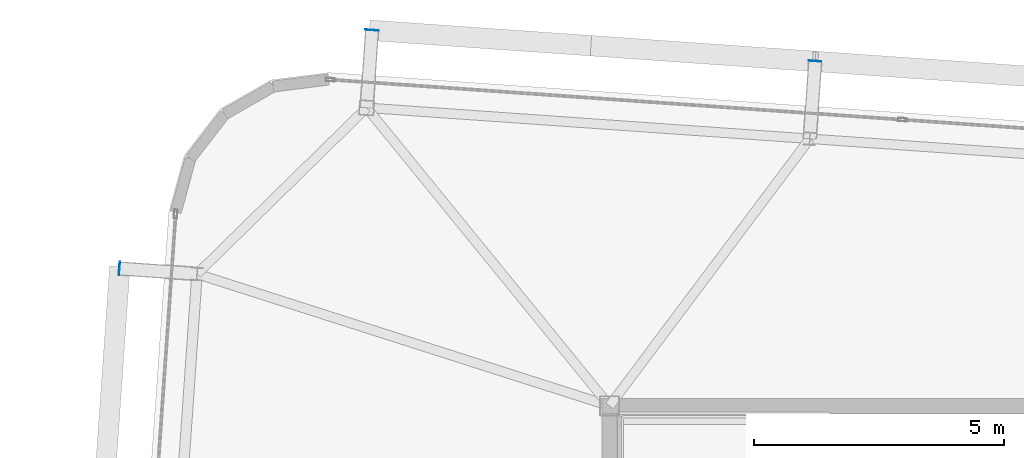
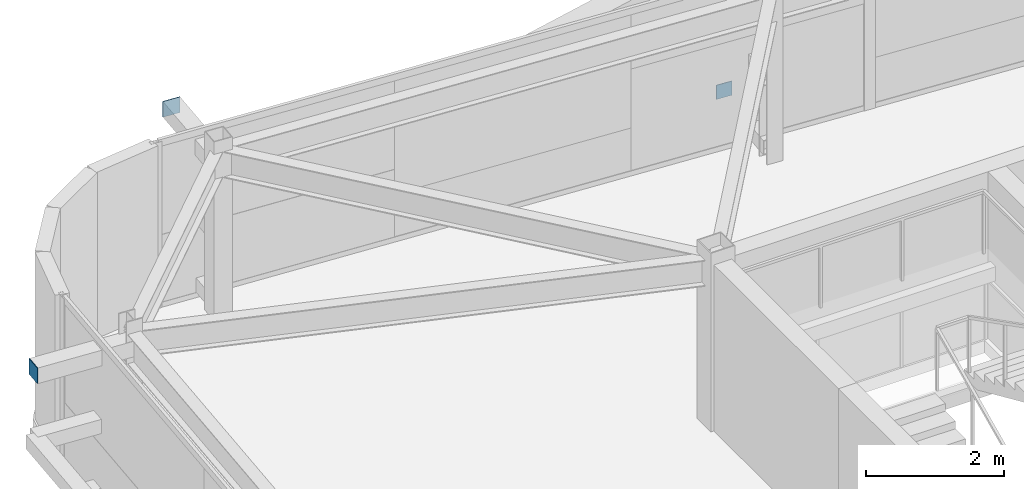
# One storey, part 32 of 39: 3 plates.
"""IFC4 building model written with IfcOpenShell, lengths in metres."""

import ifcopenshell
import ifcopenshell.guid

model = None  # the IFC model being written
_history = None  # IfcOwnerHistory: only IFC2X3 demands one
_inside = {}  # id of a spatial element -> (the spatial element, [elements in it])
_under = {}  # id of a project, library or spatial element -> (it, [spatial elements below it])
_declared = {}  # id of a project -> (the project, [libraries it declares])
_typed = {}  # id of a type object -> (the type object, [elements of that type])
_made_of = {}  # id of a material, layer set ... -> (it, [elements and type objects made of it])


def new_model(schema):
    """Start an empty IFC model of exactly this schema.

    Asked for "IFC4X3", IfcOpenShell would pick the latest addendum, in which some entities
    have other attributes; the version numbers below select the first issue.
    IFC2X3 requires an IfcOwnerHistory on every rooted entity: one is made here for all.
    """
    global model, _history
    if schema == "IFC4X3":
        model = ifcopenshell.file(schema_version=(4, 3, 0, 0))
    else:
        model = ifcopenshell.file(schema=schema)
    _inside.clear()
    _under.clear()
    _declared.clear()
    _typed.clear()
    _made_of.clear()
    _history = None
    if model.schema == "IFC2X3":
        org = make("IfcOrganization", Name="unknown")
        user = make(
            "IfcPersonAndOrganization",
            ThePerson=make("IfcPerson", FamilyName="unknown"),
            TheOrganization=org,
        )
        app = make(
            "IfcApplication",
            ApplicationDeveloper=org,
            Version="unknown",
            ApplicationFullName="unknown",
            ApplicationIdentifier="unknown",
        )
        _history = make(
            "IfcOwnerHistory",
            OwningUser=user,
            OwningApplication=app,
            ChangeAction="ADDED",
            CreationDate=0,
        )
    return model


def make(cls, **values):
    """One entity of the class cls with the attributes given. An attribute that is None is left unset."""
    return model.create_entity(
        cls, **{name: value for name, value in values.items() if value is not None}
    )


def rooted(cls, **values):
    """An entity with a GlobalId (a new one), such as an element, a storey or a relation."""
    return make(cls, GlobalId=ifcopenshell.guid.new(), OwnerHistory=_history, **values)


def si_unit(unit_type, name, prefix=None):
    """IfcSIUnit, for example si_unit("LENGTHUNIT", "METRE", prefix="MILLI")."""
    return make("IfcSIUnit", UnitType=unit_type, Prefix=prefix, Name=name)


def assignment(units):
    """IfcUnitAssignment: the units of a project."""
    return None if units is None else make("IfcUnitAssignment", Units=units)


def point(xyz):
    """IfcCartesianPoint."""
    return None if xyz is None else make("IfcCartesianPoint", Coordinates=xyz)


def direction(xyz):
    """IfcDirection."""
    return None if xyz is None else make("IfcDirection", DirectionRatios=xyz)


def frame(location, z_axis=None, x_axis=None):
    """IfcAxis2Placement3D, a coordinate frame: its origin and axes. An axis left out is left unset."""
    return make(
        "IfcAxis2Placement3D",
        Location=point(location),
        Axis=direction(z_axis),
        RefDirection=direction(x_axis),
    )


def frame_2d(location, x_axis=None):
    """IfcAxis2Placement2D, a coordinate frame in the plane: its origin and x axis."""
    return make(
        "IfcAxis2Placement2D", Location=point(location), RefDirection=direction(x_axis)
    )


def origin():
    """The frame at (0, 0, 0) with its axes left unset."""
    return frame((0.0, 0.0, 0.0))


def origin_2d():
    """The frame at (0, 0) in the plane with its x axis left unset."""
    return frame_2d((0.0, 0.0))


def place(relative_to, where):
    """IfcLocalPlacement: puts the frame where relative to a parent placement (None: the world)."""
    return make(
        "IfcLocalPlacement", PlacementRelTo=relative_to, RelativePlacement=where
    )


def context(
    kind, dimensions, precision=None, world=None, true_north=None, identifier=None
):
    """IfcGeometricRepresentationContext, for example the 3D "Model" context."""
    return make(
        "IfcGeometricRepresentationContext",
        ContextIdentifier=identifier,
        ContextType=kind,
        CoordinateSpaceDimension=dimensions,
        Precision=precision,
        WorldCoordinateSystem=world,
        TrueNorth=true_north,
    )


def subcontext(parent, identifier, kind, view, scale=None):
    """IfcGeometricRepresentationSubContext, for example "Body" below "Model"."""
    return make(
        "IfcGeometricRepresentationSubContext",
        ContextIdentifier=identifier,
        ContextType=kind,
        ParentContext=parent,
        TargetScale=scale,
        TargetView=view,
    )


def project(units=None, contexts=None):
    """IfcProject with its units and contexts."""
    return rooted(
        "IfcProject",
        Name="project",
        RepresentationContexts=contexts,
        UnitsInContext=assignment(units),
    )


def spatial(cls, under=None, at=None, **own):
    """A site, building, storey or space (cls), placed at a placement, below another one or the project."""
    s = rooted(cls, ObjectPlacement=at, **own)
    if under is not None:
        _under.setdefault(under.id(), (under, []))[1].append(s)
    return s


def profile(cls, at=None, kind="AREA", **sizes):
    """A parametric profile (cls). Its sizes go by their IFC names, for example OverallWidth=200.0."""
    return make(cls, ProfileType=kind, Position=at, **sizes)


def rectangle(**sizes):
    """IfcRectangleProfileDef."""
    return profile("IfcRectangleProfileDef", **sizes)


def extrude(swept, where, along, depth):
    """IfcExtrudedAreaSolid: the profile swept, set in the frame where, extruded along a direction by depth."""
    return make(
        "IfcExtrudedAreaSolid",
        SweptArea=swept,
        Position=where,
        ExtrudedDirection=direction(along),
        Depth=depth,
    )


def shape(context_of_items, identifier, shape_type, items):
    """IfcShapeRepresentation: the items that make up one representation, for example the "Body"."""
    return make(
        "IfcShapeRepresentation",
        ContextOfItems=context_of_items,
        RepresentationIdentifier=identifier,
        RepresentationType=shape_type,
        Items=items,
    )


def source(mapping_origin, context_of_items, identifier, shape_type, items):
    """IfcRepresentationMap: a shape defined once, which mapped items show again and again."""
    return make(
        "IfcRepresentationMap",
        MappingOrigin=mapping_origin,
        MappedRepresentation=shape(context_of_items, identifier, shape_type, items),
    )


def transform(
    local_origin,
    x_axis=None,
    y_axis=None,
    z_axis=None,
    scale=None,
    scale2=None,
    scale3=None,
    uniform=True,
):
    """IfcCartesianTransformationOperator3D, or its non-uniform kind. x_axis, y_axis, z_axis: its Axis1, 2, 3."""
    if uniform:
        return make(
            "IfcCartesianTransformationOperator3D",
            Axis1=direction(x_axis),
            Axis2=direction(y_axis),
            LocalOrigin=point(local_origin),
            Scale=scale,
            Axis3=direction(z_axis),
        )
    return make(
        "IfcCartesianTransformationOperator3DnonUniform",
        Axis1=direction(x_axis),
        Axis2=direction(y_axis),
        LocalOrigin=point(local_origin),
        Scale=scale,
        Axis3=direction(z_axis),
        Scale2=scale2,
        Scale3=scale3,
    )


def mapped(mapping_source, mapping_target):
    """IfcMappedItem: shows the shape of a source again, moved by a transform."""
    return make(
        "IfcMappedItem", MappingSource=mapping_source, MappingTarget=mapping_target
    )


def material(Name=None, Category=None):
    """IfcMaterial."""
    return make("IfcMaterial", Name=Name, Category=Category)


def layer(
    of_material, thickness, ventilated=None, Name=None, Category=None, Priority=None
):
    """IfcMaterialLayer: one layer of a wall or slab, of a material (None: an air gap)."""
    return make(
        "IfcMaterialLayer",
        Material=of_material,
        LayerThickness=thickness,
        IsVentilated=ventilated,
        Name=Name,
        Category=Category,
        Priority=Priority,
    )


def layer_set(layers, Name=None):
    """IfcMaterialLayerSet."""
    return make("IfcMaterialLayerSet", MaterialLayers=layers, LayerSetName=Name)


def made_of(thing, what):
    """Note that an element or type object is made of a material, layer set ...; save() writes the relation."""
    if what is not None:
        _made_of.setdefault(what.id(), (what, []))[1].append(thing)
    return thing


def type_object(cls, material=None, **own):
    """A type object (cls), such as IfcWallType, which elements share."""
    return made_of(rooted(cls, **own), material)


def element(
    cls,
    number,
    at=None,
    inside=None,
    cuts=None,
    type_object=None,
    material=None,
    context=None,
    identifier="Body",
    shape_type=None,
    held_by="IfcProductDefinitionShape",
    body=None,
    shapes=None,
    **own,
):
    """One element of the class cls, such as IfcWall. Its Tag is "e" and its number.

    at: its placement. inside: the storey or other place that contains it. cuts: it is an
    opening in that element (IfcRelVoidsElement). A single representation is given by context,
    identifier, shape_type and body (its items); several are given by shapes. held_by: the class
    of the entity that holds the representations. save() writes the other relations.
    """
    e = rooted(cls, Tag="e%d" % number, ObjectPlacement=at, **own)
    if body is not None:
        shapes = [shape(context, identifier, shape_type, body)]
    if shapes is not None:
        e.Representation = make(held_by, Representations=shapes)
    if inside is not None:
        _inside.setdefault(inside.id(), (inside, []))[1].append(e)
    if cuts is not None:
        rooted(
            "IfcRelVoidsElement", RelatingBuildingElement=cuts, RelatedOpeningElement=e
        )
    if type_object is not None:
        _typed.setdefault(type_object.id(), (type_object, []))[1].append(e)
    return made_of(e, material)


def aggregate(whole, parts):
    """IfcRelAggregates: a whole, such as a stair, and the parts it consists of."""
    return rooted("IfcRelAggregates", RelatingObject=whole, RelatedObjects=parts)


def save(model, path):
    """Write the relations noted so far, then the file.

    IfcRelAggregates (storeys below a building ...), IfcRelContainedInSpatialStructure (elements
    in a storey), IfcRelDefinesByType, IfcRelAssociatesMaterial and IfcRelDeclares: one each for
    every whole, place, type object, material and project.
    """
    for whole, parts in _under.values():
        aggregate(whole, parts)
    for where, things in _inside.values():
        rooted(
            "IfcRelContainedInSpatialStructure",
            RelatedElements=things,
            RelatingStructure=where,
        )
    for kind, things in _typed.values():
        rooted("IfcRelDefinesByType", RelatedObjects=things, RelatingType=kind)
    for what, things in _made_of.values():
        rooted("IfcRelAssociatesMaterial", RelatedObjects=things, RelatingMaterial=what)
    for by, libraries in _declared.values():
        rooted("IfcRelDeclares", RelatingContext=by, RelatedDefinitions=libraries)
    model.write(path)


model = new_model("IFC4")

# Units and contexts
model_context = context("Model", 3, precision=1e-05, world=origin(), true_north=direction((0.0, 1.0)))
body_context = subcontext(model_context, "Body", "Model", "MODEL_VIEW")
ifc_project = project(units=[si_unit("LENGTHUNIT", "METRE"), si_unit("AREAUNIT", "SQUARE_METRE"), si_unit("VOLUMEUNIT", "CUBIC_METRE"), si_unit("PLANEANGLEUNIT", "RADIAN"), si_unit("MASSUNIT", "GRAM", prefix="KILO")], contexts=[model_context])

# Site, building, storey
site_placement = place(None, origin())
site = spatial("IfcSite", under=ifc_project, at=site_placement, CompositionType="ELEMENT")
building_placement = place(site_placement, origin())
building = spatial("IfcBuilding", under=site, at=building_placement, Name="Taldren Reach Tower", CompositionType="ELEMENT")
storey_placement = place(building_placement, frame((0.0, 0.0, 145.60009765625)))
storey = spatial("IfcBuildingStorey", under=building, at=storey_placement, Name="L44", CompositionType="ELEMENT", Elevation=145.60009765625)

# Plates
ifc_material_1 = material(Name="Steel Gr 450 (C450L0)", Category="steel")
ifc_layer_1 = layer(ifc_material_1, 0.011962890625)
ifc_layer_set_1 = layer_set([ifc_layer_1], Name="Steel Gr 450 (C450L0)")
plate_type_1 = type_object("IfcPlateType", Name="PL-CAP-275", PredefinedType="SHEET", material=ifc_layer_set_1)
shared_shape_1 = source(origin(), body_context, "Body", "SweptSolid", [
    extrude(rectangle(XDim=0.27490234375, YDim=0.011962890625, at=origin_2d()), origin(), (0.0, 0.0, 1.0), 0.27490234375),
])
plate_1_placement = place(storey_placement, frame((14.253173828125, 39.510986328125, 2.512451171875), z_axis=(0.0, 0.0, 1.0), x_axis=(0.99756405026, -0.069756473744, 0.0)))
element("IfcPlate", 1, at=plate_1_placement, inside=storey, type_object=plate_type_1, Name="Tie strut end cap plate B3-N1 L44", PredefinedType="SHEET", context=body_context, shape_type="MappedRepresentation", body=[
    mapped(shared_shape_1, transform((0.0, 0.0, 0.0), scale=1.0)),
])
shared_shape_2 = source(origin(), body_context, "Body", "SweptSolid", [
    extrude(rectangle(XDim=0.011962890625, YDim=0.27490234375, at=origin_2d()), origin(), (0.0, 0.0, 1.0), 0.27490234375),
])
plate_2_placement = place(storey_placement, frame((9.202392578125, 34.74560546875, 2.512451171875), z_axis=(0.0, 0.0, 1.0), x_axis=(0.99756405026, -0.069756473744, 0.0)))
element("IfcPlate", 2, at=plate_2_placement, inside=storey, type_object=plate_type_1, Name="Tie strut end cap plate B3-W3 L44", PredefinedType="SHEET", context=body_context, shape_type="MappedRepresentation", body=[
    mapped(shared_shape_2, transform((0.0, 0.0, 0.0), scale=1.0)),
])
ifc_material_2 = material(Name="Steel Gr 350 (C350L0)", Category="steel")
ifc_layer_2 = layer(ifc_material_2, 0.011962890625)
ifc_layer_set_2 = layer_set([ifc_layer_2], Name="Steel Gr 350 (C350L0)")
plate_type_2 = type_object("IfcPlateType", Name="PL-CAP-250", PredefinedType="SHEET", material=ifc_layer_set_2)
shared_shape_3 = source(origin(), body_context, "Body", "SweptSolid", [
    extrude(rectangle(XDim=0.25, YDim=0.011962890625, at=origin_2d()), origin(), (0.0, 0.0, 1.0), 0.25),
])
plate_3_placement = place(storey_placement, frame((23.111572265625, 38.8916015625, 0.094970703125), z_axis=(0.0, 0.0, 1.0), x_axis=(0.99756405026, -0.069756473744, 0.0)))
element("IfcPlate", 3, at=plate_3_placement, inside=storey, type_object=plate_type_2, Name="Tie strut end cap plate B3-N2 L44", PredefinedType="SHEET", context=body_context, shape_type="MappedRepresentation", body=[
    mapped(shared_shape_3, transform((0.0, 0.0, 0.0), scale=1.0)),
])

save(model, "model.ifc")
